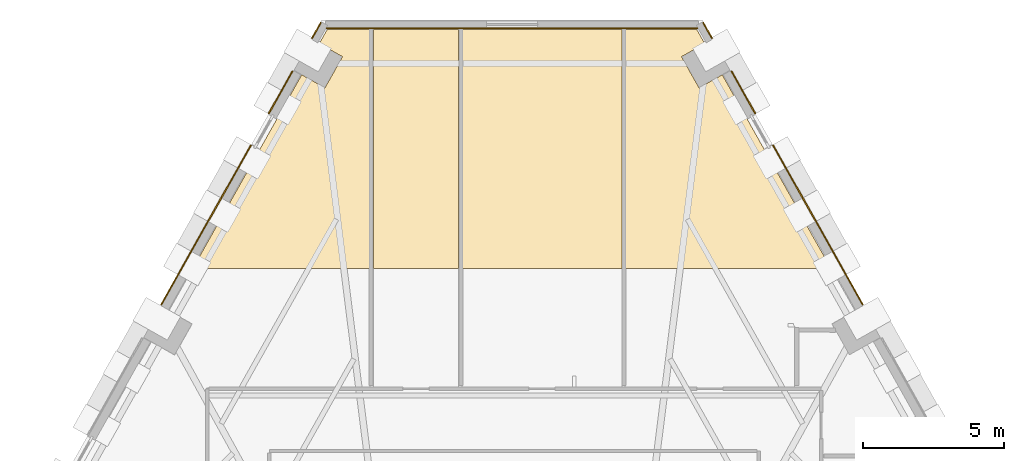
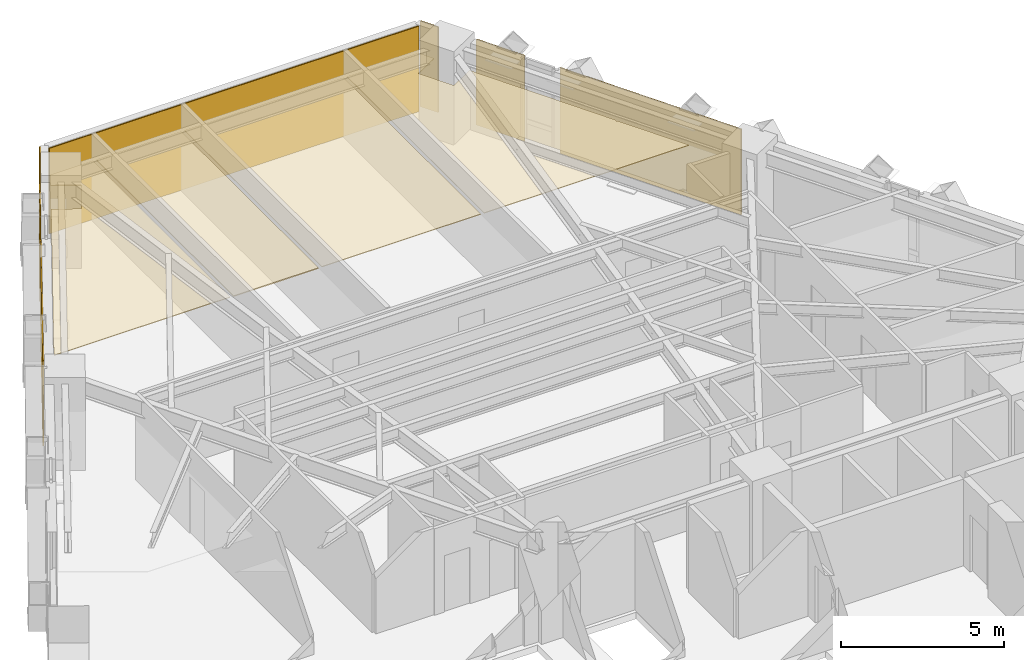
# One storey, part 13 of 13: 11 coverings.
"""IFC4 building model written with IfcOpenShell, lengths in metres."""

import ifcopenshell
import ifcopenshell.guid

model = None  # the IFC model being written
_history = None  # IfcOwnerHistory: only IFC2X3 demands one
_inside = {}  # id of a spatial element -> (the spatial element, [elements in it])
_under = {}  # id of a project, library or spatial element -> (it, [spatial elements below it])
_declared = {}  # id of a project -> (the project, [libraries it declares])
_typed = {}  # id of a type object -> (the type object, [elements of that type])
_made_of = {}  # id of a material, layer set ... -> (it, [elements and type objects made of it])


def new_model(schema):
    """Start an empty IFC model of exactly this schema.

    Asked for "IFC4X3", IfcOpenShell would pick the latest addendum, in which some entities
    have other attributes; the version numbers below select the first issue.
    IFC2X3 requires an IfcOwnerHistory on every rooted entity: one is made here for all.
    """
    global model, _history
    if schema == "IFC4X3":
        model = ifcopenshell.file(schema_version=(4, 3, 0, 0))
    else:
        model = ifcopenshell.file(schema=schema)
    _inside.clear()
    _under.clear()
    _declared.clear()
    _typed.clear()
    _made_of.clear()
    _history = None
    if model.schema == "IFC2X3":
        org = make("IfcOrganization", Name="unknown")
        user = make(
            "IfcPersonAndOrganization",
            ThePerson=make("IfcPerson", FamilyName="unknown"),
            TheOrganization=org,
        )
        app = make(
            "IfcApplication",
            ApplicationDeveloper=org,
            Version="unknown",
            ApplicationFullName="unknown",
            ApplicationIdentifier="unknown",
        )
        _history = make(
            "IfcOwnerHistory",
            OwningUser=user,
            OwningApplication=app,
            ChangeAction="ADDED",
            CreationDate=0,
        )
    return model


def make(cls, **values):
    """One entity of the class cls with the attributes given. An attribute that is None is left unset."""
    return model.create_entity(
        cls, **{name: value for name, value in values.items() if value is not None}
    )


def rooted(cls, **values):
    """An entity with a GlobalId (a new one), such as an element, a storey or a relation."""
    return make(cls, GlobalId=ifcopenshell.guid.new(), OwnerHistory=_history, **values)


def si_unit(unit_type, name, prefix=None):
    """IfcSIUnit, for example si_unit("LENGTHUNIT", "METRE", prefix="MILLI")."""
    return make("IfcSIUnit", UnitType=unit_type, Prefix=prefix, Name=name)


def assignment(units):
    """IfcUnitAssignment: the units of a project."""
    return None if units is None else make("IfcUnitAssignment", Units=units)


def point(xyz):
    """IfcCartesianPoint."""
    return None if xyz is None else make("IfcCartesianPoint", Coordinates=xyz)


def direction(xyz):
    """IfcDirection."""
    return None if xyz is None else make("IfcDirection", DirectionRatios=xyz)


def frame(location, z_axis=None, x_axis=None):
    """IfcAxis2Placement3D, a coordinate frame: its origin and axes. An axis left out is left unset."""
    return make(
        "IfcAxis2Placement3D",
        Location=point(location),
        Axis=direction(z_axis),
        RefDirection=direction(x_axis),
    )


def origin():
    """The frame at (0, 0, 0) with its axes left unset."""
    return frame((0.0, 0.0, 0.0))


def place(relative_to, where):
    """IfcLocalPlacement: puts the frame where relative to a parent placement (None: the world)."""
    return make(
        "IfcLocalPlacement", PlacementRelTo=relative_to, RelativePlacement=where
    )


def context(
    kind, dimensions, precision=None, world=None, true_north=None, identifier=None
):
    """IfcGeometricRepresentationContext, for example the 3D "Model" context."""
    return make(
        "IfcGeometricRepresentationContext",
        ContextIdentifier=identifier,
        ContextType=kind,
        CoordinateSpaceDimension=dimensions,
        Precision=precision,
        WorldCoordinateSystem=world,
        TrueNorth=true_north,
    )


def subcontext(parent, identifier, kind, view, scale=None):
    """IfcGeometricRepresentationSubContext, for example "Body" below "Model"."""
    return make(
        "IfcGeometricRepresentationSubContext",
        ContextIdentifier=identifier,
        ContextType=kind,
        ParentContext=parent,
        TargetScale=scale,
        TargetView=view,
    )


def project(units=None, contexts=None):
    """IfcProject with its units and contexts."""
    return rooted(
        "IfcProject",
        Name="project",
        RepresentationContexts=contexts,
        UnitsInContext=assignment(units),
    )


def spatial(cls, under=None, at=None, **own):
    """A site, building, storey or space (cls), placed at a placement, below another one or the project."""
    s = rooted(cls, ObjectPlacement=at, **own)
    if under is not None:
        _under.setdefault(under.id(), (under, []))[1].append(s)
    return s


def polyline(points):
    """IfcPolyline through the points."""
    return make("IfcPolyline", Points=[point(p) for p in points])


def outline(outer, holes=None, kind="AREA"):
    """IfcArbitraryClosedProfileDef: a profile drawn as a closed curve; with holes, ...WithVoids."""
    if holes is None:
        return make("IfcArbitraryClosedProfileDef", ProfileType=kind, OuterCurve=outer)
    return make(
        "IfcArbitraryProfileDefWithVoids",
        ProfileType=kind,
        OuterCurve=outer,
        InnerCurves=holes,
    )


def extrude(swept, where, along, depth):
    """IfcExtrudedAreaSolid: the profile swept, set in the frame where, extruded along a direction by depth."""
    return make(
        "IfcExtrudedAreaSolid",
        SweptArea=swept,
        Position=where,
        ExtrudedDirection=direction(along),
        Depth=depth,
    )


def shape(context_of_items, identifier, shape_type, items):
    """IfcShapeRepresentation: the items that make up one representation, for example the "Body"."""
    return make(
        "IfcShapeRepresentation",
        ContextOfItems=context_of_items,
        RepresentationIdentifier=identifier,
        RepresentationType=shape_type,
        Items=items,
    )


def material(Name=None, Category=None):
    """IfcMaterial."""
    return make("IfcMaterial", Name=Name, Category=Category)


def layer(
    of_material, thickness, ventilated=None, Name=None, Category=None, Priority=None
):
    """IfcMaterialLayer: one layer of a wall or slab, of a material (None: an air gap)."""
    return make(
        "IfcMaterialLayer",
        Material=of_material,
        LayerThickness=thickness,
        IsVentilated=ventilated,
        Name=Name,
        Category=Category,
        Priority=Priority,
    )


def layer_set(layers, Name=None):
    """IfcMaterialLayerSet."""
    return make("IfcMaterialLayerSet", MaterialLayers=layers, LayerSetName=Name)


def made_of(thing, what):
    """Note that an element or type object is made of a material, layer set ...; save() writes the relation."""
    if what is not None:
        _made_of.setdefault(what.id(), (what, []))[1].append(thing)
    return thing


def type_object(cls, material=None, **own):
    """A type object (cls), such as IfcWallType, which elements share."""
    return made_of(rooted(cls, **own), material)


def element(
    cls,
    number,
    at=None,
    inside=None,
    cuts=None,
    type_object=None,
    material=None,
    context=None,
    identifier="Body",
    shape_type=None,
    held_by="IfcProductDefinitionShape",
    body=None,
    shapes=None,
    **own,
):
    """One element of the class cls, such as IfcWall. Its Tag is "e" and its number.

    at: its placement. inside: the storey or other place that contains it. cuts: it is an
    opening in that element (IfcRelVoidsElement). A single representation is given by context,
    identifier, shape_type and body (its items); several are given by shapes. held_by: the class
    of the entity that holds the representations. save() writes the other relations.
    """
    e = rooted(cls, Tag="e%d" % number, ObjectPlacement=at, **own)
    if body is not None:
        shapes = [shape(context, identifier, shape_type, body)]
    if shapes is not None:
        e.Representation = make(held_by, Representations=shapes)
    if inside is not None:
        _inside.setdefault(inside.id(), (inside, []))[1].append(e)
    if cuts is not None:
        rooted(
            "IfcRelVoidsElement", RelatingBuildingElement=cuts, RelatedOpeningElement=e
        )
    if type_object is not None:
        _typed.setdefault(type_object.id(), (type_object, []))[1].append(e)
    return made_of(e, material)


def aggregate(whole, parts):
    """IfcRelAggregates: a whole, such as a stair, and the parts it consists of."""
    return rooted("IfcRelAggregates", RelatingObject=whole, RelatedObjects=parts)


def save(model, path):
    """Write the relations noted so far, then the file.

    IfcRelAggregates (storeys below a building ...), IfcRelContainedInSpatialStructure (elements
    in a storey), IfcRelDefinesByType, IfcRelAssociatesMaterial and IfcRelDeclares: one each for
    every whole, place, type object, material and project.
    """
    for whole, parts in _under.values():
        aggregate(whole, parts)
    for where, things in _inside.values():
        rooted(
            "IfcRelContainedInSpatialStructure",
            RelatedElements=things,
            RelatingStructure=where,
        )
    for kind, things in _typed.values():
        rooted("IfcRelDefinesByType", RelatedObjects=things, RelatingType=kind)
    for what, things in _made_of.values():
        rooted("IfcRelAssociatesMaterial", RelatedObjects=things, RelatingMaterial=what)
    for by, libraries in _declared.values():
        rooted("IfcRelDeclares", RelatingContext=by, RelatedDefinitions=libraries)
    model.write(path)


model = new_model("IFC4")

# Units and contexts
model_context = context("Model", 3, precision=1e-05, world=origin(), true_north=direction((0.0, 1.0)))
body_context = subcontext(model_context, "Body", "Model", "MODEL_VIEW")
ifc_project = project(units=[si_unit("LENGTHUNIT", "METRE"), si_unit("AREAUNIT", "SQUARE_METRE"), si_unit("VOLUMEUNIT", "CUBIC_METRE"), si_unit("PLANEANGLEUNIT", "RADIAN"), si_unit("MASSUNIT", "GRAM", prefix="KILO")], contexts=[model_context])

# Site, building, storey
site_placement = place(None, origin())
site = spatial("IfcSite", under=ifc_project, at=site_placement, CompositionType="ELEMENT")
building_placement = place(site_placement, origin())
building = spatial("IfcBuilding", under=site, at=building_placement, Name="Quenlor Broadcast Tower", CompositionType="ELEMENT")
storey_placement = place(building_placement, frame((0.0, 0.0, 38.10009765625)))
storey = spatial("IfcBuildingStorey", under=building, at=storey_placement, Name="L09", CompositionType="ELEMENT", Elevation=38.10009765625)

# Coverings
ifc_material_1 = material(Name="Acoustic Mineral Fibre Board", Category="other")
ifc_layer_1 = layer(ifc_material_1, 0.02490234375)
ifc_layer_set_1 = layer_set([ifc_layer_1], Name="Acoustic Perforated Mineral Tile Ceiling 25")
covering_type_1 = type_object("IfcCoveringType", Name="Acoustic Perforated Mineral Tile Ceiling 25", PredefinedType="CEILING", material=ifc_layer_set_1)
covering_1_placement = place(storey_placement, frame((0.0, 0.0, 2.224853515625)))
element("IfcCovering", 1, at=covering_1_placement, inside=storey, type_object=covering_type_1, Name="L09 Acoustic Ceiling L09-34-2", PredefinedType="CEILING", context=body_context, shape_type="SweptSolid", body=[
    extrude(outline(polyline([(-1.765869140625, 21.092041015625), (3.8798828125, 21.092041015625), (3.8798828125, 12.64990234375), (-1.765869140625, 12.64990234375), (-1.765869140625, 21.092041015625)])), origin(), (0.0, 0.0, 1.0), 0.025146484375),
])
covering_2_placement = place(storey_placement, frame((0.0, 0.0, 2.224853515625)))
element("IfcCovering", 2, at=covering_2_placement, inside=storey, type_object=covering_type_1, Name="L09 Acoustic Ceiling L09-35-2", PredefinedType="CEILING", context=body_context, shape_type="SweptSolid", body=[
    extrude(outline(polyline([(4.0, 21.092041015625), (6.533203125, 21.092041015625), (6.810791015625, 20.598388671875), (5.989013671875, 20.135986328125), (6.609619140625, 19.03271484375), (7.431396484375, 19.4951171875), (9.97998046875, 14.96435546875), (9.97998046875, 14.8408203125), (9.993408203125, 14.856201171875), (10.015625, 14.875), (11.27587890625, 12.64990234375), (4.0, 12.64990234375), (4.0, 21.092041015625)])), origin(), (0.0, 0.0, 1.0), 0.025146484375),
])
covering_3_placement = place(storey_placement, frame((0.0, 0.0, 2.224853515625)))
element("IfcCovering", 3, at=covering_3_placement, inside=storey, type_object=covering_type_1, Name="L09 Acoustic Ceiling L09-36-2", PredefinedType="CEILING", context=body_context, shape_type="SweptSolid", body=[
    extrude(outline(polyline([(-7.431396484375, 19.4951171875), (-6.609619140625, 19.03271484375), (-5.989013671875, 20.135986328125), (-6.810791015625, 20.598388671875), (-6.533203125, 21.092041015625), (-5.02001953125, 21.092041015625), (-5.02001953125, 12.64990234375), (-11.28173828125, 12.64990234375), (-7.431396484375, 19.4951171875)])), origin(), (0.0, 0.0, 1.0), 0.025146484375),
])
ifc_material_2 = material(Name="Acoustic Gypsum Board", Category="other")
ifc_layer_2 = layer(ifc_material_2, 0.0400390625)
ifc_layer_set_2 = layer_set([ifc_layer_2], Name="Broadcast Studio Spring Isolated Ceiling 40")
covering_type_2 = type_object("IfcCoveringType", Name="Broadcast Studio Spring Isolated Ceiling 40", PredefinedType="CEILING", material=ifc_layer_set_2)
covering_4_placement = place(storey_placement, frame((0.0, 0.0, 2.2099609375)))
element("IfcCovering", 4, at=covering_4_placement, inside=storey, type_object=covering_type_2, Name="L09 Acoustic Ceiling L09-33-2", PredefinedType="CEILING", context=body_context, shape_type="SweptSolid", body=[
    extrude(outline(polyline([(-1.8857421875, 12.64990234375), (-4.89990234375, 12.64990234375), (-4.89990234375, 21.092041015625), (-1.8857421875, 21.092041015625), (-1.8857421875, 12.64990234375)])), origin(), (0.0, 0.0, 1.0), 0.0400390625),
])
ifc_material_3 = material(Name="Architectural Terracotta Ceramic", Category="masonry")
ifc_layer_3 = layer(ifc_material_3, 0.044921875)
ifc_layer_set_3 = layer_set([ifc_layer_3], Name="Fluted Terracotta Rainscreen Cladding Panel")
covering_type_3 = type_object("IfcCoveringType", Name="Fluted Terracotta Rainscreen Cladding Panel", PredefinedType="CLADDING", material=ifc_layer_set_3)
covering_5_placement = place(storey_placement, frame((0.0, 0.0, 0.02001953125)))
element("IfcCovering", 5, at=covering_5_placement, inside=storey, type_object=covering_type_3, Name="L09 Terracotta Rainscreen Cladding L09-SHD-NES0", PredefinedType="CLADDING", context=body_context, shape_type="SweptSolid", body=[
    extrude(outline(polyline([(6.734130859375, 21.330078125), (7.052001953125, 20.76513671875), (7.09130859375, 20.787109375), (6.7734375, 21.35205078125), (6.734130859375, 21.330078125)])), origin(), (0.0, 0.0, 1.0), 3.2099609375),
])
covering_6_placement = place(storey_placement, frame((0.0, 0.0, 0.02001953125)))
element("IfcCovering", 6, at=covering_6_placement, inside=storey, type_object=covering_type_3, Name="L09 Terracotta Rainscreen Cladding L09-NEA-SP1", PredefinedType="CLADDING", context=body_context, shape_type="SweptSolid", body=[
    extrude(outline(polyline([(7.735107421875, 19.612060546875), (8.57958984375, 18.110595703125), (8.618896484375, 18.1328125), (7.7744140625, 19.634033203125), (7.735107421875, 19.612060546875)])), origin(), (0.0, 0.0, 1.0), 3.2099609375),
])
covering_7_placement = place(storey_placement, frame((0.0, 0.0, 0.02001953125)))
element("IfcCovering", 7, at=covering_7_placement, inside=storey, type_object=covering_type_3, Name="L09 Terracotta Rainscreen Cladding L09-NEA-SP2", PredefinedType="CLADDING", context=body_context, shape_type="SweptSolid", body=[
    extrude(outline(polyline([(9.201904296875, 17.00439453125), (12.380615234375, 11.353515625), (12.419677734375, 11.37548828125), (9.2412109375, 17.0263671875), (9.201904296875, 17.00439453125)])), origin(), (0.0, 0.0, 1.0), 3.2099609375),
])
covering_8_placement = place(storey_placement, frame((0.0, 0.0, 0.02001953125)))
element("IfcCovering", 8, at=covering_8_placement, inside=storey, type_object=covering_type_3, Name="L09 Terracotta Rainscreen Cladding L09-SHD-NWS1", PredefinedType="CLADDING", context=body_context, shape_type="SweptSolid", body=[
    extrude(outline(polyline([(-7.052001953125, 20.76513671875), (-6.734130859375, 21.330078125), (-6.7734375, 21.35205078125), (-7.09130859375, 20.787109375), (-7.052001953125, 20.76513671875)])), origin(), (0.0, 0.0, 1.0), 3.2099609375),
])
covering_9_placement = place(storey_placement, frame((0.0, 0.0, 0.02001953125)))
element("IfcCovering", 9, at=covering_9_placement, inside=storey, type_object=covering_type_3, Name="L09 Terracotta Rainscreen Cladding L09-NWC-SP1", PredefinedType="CLADDING", context=body_context, shape_type="SweptSolid", body=[
    extrude(outline(polyline([(-12.380615234375, 11.353515625), (-9.201904296875, 17.00439453125), (-9.2412109375, 17.0263671875), (-12.419677734375, 11.37548828125), (-12.380615234375, 11.353515625)])), origin(), (0.0, 0.0, 1.0), 3.2099609375),
])
covering_10_placement = place(storey_placement, frame((0.0, 0.0, 0.02001953125)))
element("IfcCovering", 10, at=covering_10_placement, inside=storey, type_object=covering_type_3, Name="L09 Terracotta Rainscreen Cladding L09-NWC-SP2", PredefinedType="CLADDING", context=body_context, shape_type="SweptSolid", body=[
    extrude(outline(polyline([(-8.57958984375, 18.110595703125), (-7.735107421875, 19.612060546875), (-7.7744140625, 19.634033203125), (-8.618896484375, 18.1328125), (-8.57958984375, 18.110595703125)])), origin(), (0.0, 0.0, 1.0), 3.2099609375),
])
covering_11_placement = place(storey_placement, frame((0.0, 0.0, 0.02001953125)))
element("IfcCovering", 11, at=covering_11_placement, inside=storey, type_object=covering_type_3, Name="L09 Terracotta Rainscreen Cladding L09-CNR-02", PredefinedType="CLADDING", context=body_context, shape_type="SweptSolid", body=[
    extrude(outline(polyline([(6.568359375, 21.159912109375), (-6.558349609375, 21.159912109375), (-6.558349609375, 21.114990234375), (6.568359375, 21.114990234375), (6.568359375, 21.159912109375)])), origin(), (0.0, 0.0, 1.0), 3.2099609375),
])

save(model, "model.ifc")
